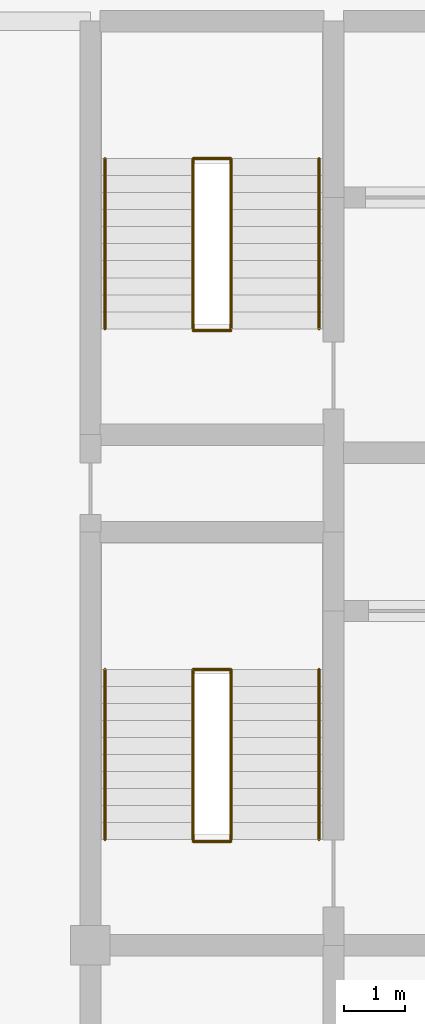
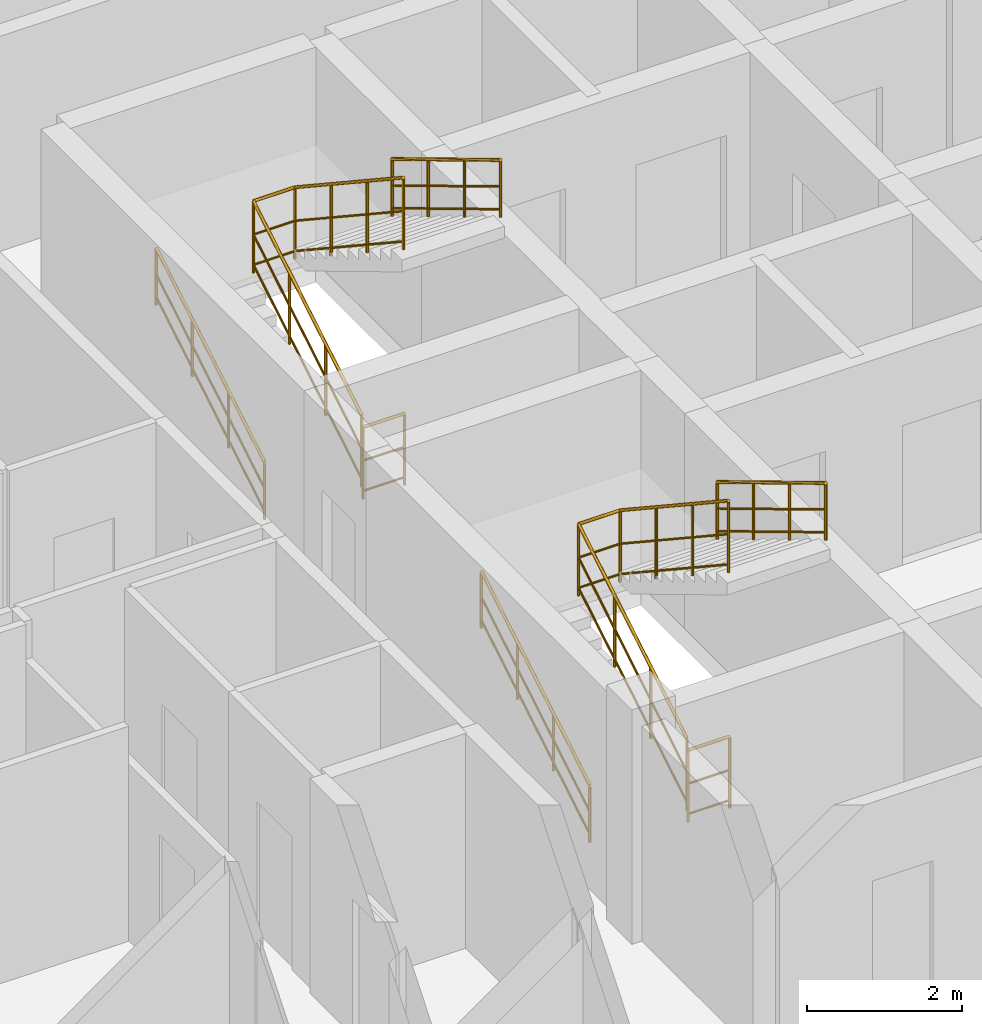
# One storey, part 27 of 27: 8 railings.
"""IFC4 building model written with IfcOpenShell, lengths in metres."""

from ifc_helpers import new_model, si_unit, direction, frame, origin, origin_2d, place, context, subcontext, project, spatial, circle, extrude, material, layer, layer_set, type_object, element, save


model = new_model("IFC4")

# Units and contexts
model_context = context("Model", 3, precision=1e-05, world=origin(), true_north=direction((0.0, 1.0)))
body_context = subcontext(model_context, "Body", "Model", "MODEL_VIEW")
ifc_project = project(units=[si_unit("LENGTHUNIT", "METRE"), si_unit("AREAUNIT", "SQUARE_METRE"), si_unit("VOLUMEUNIT", "CUBIC_METRE"), si_unit("PLANEANGLEUNIT", "RADIAN"), si_unit("MASSUNIT", "GRAM", prefix="KILO")], contexts=[model_context])

# Site, building, storey
site_placement = place(None, origin())
site = spatial("IfcSite", under=ifc_project, at=site_placement, CompositionType="ELEMENT")
building_placement = place(site_placement, origin())
building = spatial("IfcBuilding", under=site, at=building_placement, Name="Keshet Zoharim Tower", CompositionType="ELEMENT")
storey_placement = place(building_placement, frame((0.0, 0.0, 307.300048828125)))
storey = spatial("IfcBuildingStorey", under=building, at=storey_placement, Name="L77", CompositionType="ELEMENT", Elevation=307.300048828125)

# Railings
ifc_material = material(Name="Steel S355", Category="steel")
ifc_layer_1 = layer(ifc_material, 0.050048828125)
ifc_layer_set_1 = layer_set([ifc_layer_1], Name="Steel S355")
railing_type_1 = type_object("IfcRailingType", Name="RL-HND-092", PredefinedType="HANDRAIL", material=ifc_layer_set_1)
railing_1_placement = place(storey_placement, frame((15.239990234375, 24.43994140625, 0.168212890625)))
element("IfcRailing", 1, at=railing_1_placement, inside=storey, type_object=railing_type_1, Name="L77 ST-01 Flight 1 Wall Handrail", PredefinedType="HANDRAIL", context=body_context, shape_type="SweptSolid", body=[
    extrude(circle(Radius=0.02392578125, at=origin_2d()), frame((0.0, 0.0, 0.89599609375), z_axis=(0.0, 0.857275202839, 0.514858452973), x_axis=(-1.0, 0.0, 0.0)), (0.0, 0.0, 1.0), 3.26611328125),
    extrude(circle(Radius=0.01611328125, at=origin_2d()), frame((0.0, 0.0, 0.478271484375), z_axis=(0.0, 0.857275202839, 0.514858452973), x_axis=(-1.0, 0.0, 0.0)), (0.0, 0.0, 1.0), 3.26611328125),
    extrude(circle(Radius=0.01611328125, at=origin_2d()), frame((0.0, 0.0, 0.1201171875), z_axis=(0.0, 0.857275202839, 0.514858452973), x_axis=(-1.0, 0.0, 0.0)), (0.0, 0.0, 1.0), 3.26611328125),
    extrude(circle(Radius=0.02099609375, at=origin_2d()), origin(), (0.0, 0.0, 1.0), 0.871826171875),
    extrude(circle(Radius=0.02099609375, at=origin_2d()), frame((0.0, 0.933349609375, 0.560546875)), (0.0, 0.0, 1.0), 0.871826171875),
    extrude(circle(Radius=0.02099609375, at=origin_2d()), frame((0.0, 1.86669921875, 1.12109375)), (0.0, 0.0, 1.0), 0.871826171875),
    extrude(circle(Radius=0.02099609375, at=origin_2d()), frame((0.0, 2.800048828125, 1.681640625)), (0.0, 0.0, 1.0), 0.871826171875),
])
railing_2_placement = place(storey_placement, frame((18.760009765625, 27.239990234375, 2.01806640625)))
element("IfcRailing", 2, at=railing_2_placement, inside=storey, type_object=railing_type_1, Name="L77 ST-01 Flight 2 Wall Handrail", PredefinedType="HANDRAIL", context=body_context, shape_type="SweptSolid", body=[
    extrude(circle(Radius=0.02392578125, at=origin_2d()), frame((0.0, 0.0, 0.89599609375), z_axis=(0.0, -0.857242210791, 0.514913383045), x_axis=(1.0, 0.0, 0.0)), (0.0, 0.0, 1.0), 3.266357421875),
    extrude(circle(Radius=0.01611328125, at=origin_2d()), frame((0.0, 0.0, 0.478271484375), z_axis=(0.0, -0.857242210791, 0.514913383045), x_axis=(1.0, 0.0, 0.0)), (0.0, 0.0, 1.0), 3.266357421875),
    extrude(circle(Radius=0.01611328125, at=origin_2d()), frame((0.0, 0.0, 0.1201171875), z_axis=(0.0, -0.857242210791, 0.514913383045), x_axis=(1.0, 0.0, 0.0)), (0.0, 0.0, 1.0), 3.266357421875),
    extrude(circle(Radius=0.02099609375, at=origin_2d()), origin(), (0.0, 0.0, 1.0), 0.871826171875),
    extrude(circle(Radius=0.02099609375, at=origin_2d()), frame((0.0, -0.933349609375, 0.560546875)), (0.0, 0.0, 1.0), 0.871826171875),
    extrude(circle(Radius=0.02099609375, at=origin_2d()), frame((0.0, -1.86669921875, 1.121337890625)), (0.0, 0.0, 1.0), 0.871826171875),
    extrude(circle(Radius=0.02099609375, at=origin_2d()), frame((0.0, -2.800048828125, 1.681884765625)), (0.0, 0.0, 1.0), 0.871826171875),
])
railing_3_placement = place(storey_placement, frame((15.239990234375, 32.840087890625, 0.168212890625)))
element("IfcRailing", 3, at=railing_3_placement, inside=storey, type_object=railing_type_1, Name="L77 ST-02 Flight 1 Wall Handrail", PredefinedType="HANDRAIL", context=body_context, shape_type="SweptSolid", body=[
    extrude(circle(Radius=0.02392578125, at=origin_2d()), frame((0.0, 0.0, 0.89599609375), z_axis=(0.0, 0.857255387014, 0.514891446264), x_axis=(-1.0, 0.0, 0.0)), (0.0, 0.0, 1.0), 3.26611328125),
    extrude(circle(Radius=0.01611328125, at=origin_2d()), frame((0.0, 0.0, 0.478271484375), z_axis=(0.0, 0.857255387014, 0.514891446264), x_axis=(-1.0, 0.0, 0.0)), (0.0, 0.0, 1.0), 3.26611328125),
    extrude(circle(Radius=0.01611328125, at=origin_2d()), frame((0.0, 0.0, 0.1201171875), z_axis=(0.0, 0.857255387014, 0.514891446264), x_axis=(-1.0, 0.0, 0.0)), (0.0, 0.0, 1.0), 3.26611328125),
    extrude(circle(Radius=0.02099609375, at=origin_2d()), origin(), (0.0, 0.0, 1.0), 0.871826171875),
    extrude(circle(Radius=0.02099609375, at=origin_2d()), frame((0.0, 0.933349609375, 0.560546875)), (0.0, 0.0, 1.0), 0.871826171875),
    extrude(circle(Radius=0.02099609375, at=origin_2d()), frame((0.0, 1.866455078125, 1.12109375)), (0.0, 0.0, 1.0), 0.871826171875),
    extrude(circle(Radius=0.02099609375, at=origin_2d()), frame((0.0, 2.7998046875, 1.681640625)), (0.0, 0.0, 1.0), 0.871826171875),
])
railing_4_placement = place(storey_placement, frame((18.760009765625, 35.639892578125, 2.01806640625)))
element("IfcRailing", 4, at=railing_4_placement, inside=storey, type_object=railing_type_1, Name="L77 ST-02 Flight 2 Wall Handrail", PredefinedType="HANDRAIL", context=body_context, shape_type="SweptSolid", body=[
    extrude(circle(Radius=0.02392578125, at=origin_2d()), frame((0.0, 0.0, 0.89599609375), z_axis=(0.0, -0.857222391501, 0.514946377315), x_axis=(1.0, 0.0, 0.0)), (0.0, 0.0, 1.0), 3.26611328125),
    extrude(circle(Radius=0.01611328125, at=origin_2d()), frame((0.0, 0.0, 0.478271484375), z_axis=(0.0, -0.857222391501, 0.514946377315), x_axis=(1.0, 0.0, 0.0)), (0.0, 0.0, 1.0), 3.26611328125),
    extrude(circle(Radius=0.01611328125, at=origin_2d()), frame((0.0, 0.0, 0.1201171875), z_axis=(0.0, -0.857222391501, 0.514946377315), x_axis=(1.0, 0.0, 0.0)), (0.0, 0.0, 1.0), 3.26611328125),
    extrude(circle(Radius=0.02099609375, at=origin_2d()), origin(), (0.0, 0.0, 1.0), 0.871826171875),
    extrude(circle(Radius=0.02099609375, at=origin_2d()), frame((0.0, -0.933349609375, 0.560546875)), (0.0, 0.0, 1.0), 0.871826171875),
    extrude(circle(Radius=0.02099609375, at=origin_2d()), frame((0.0, -1.866455078125, 1.121337890625)), (0.0, 0.0, 1.0), 0.871826171875),
    extrude(circle(Radius=0.02099609375, at=origin_2d()), frame((0.0, -2.7998046875, 1.681884765625)), (0.0, 0.0, 1.0), 0.871826171875),
])
ifc_layer_2 = layer(ifc_material, 0.06005859375)
ifc_layer_set_2 = layer_set([ifc_layer_2], Name="Steel S355")
railing_type_2 = type_object("IfcRailingType", Name="RL-STG-115", PredefinedType="GUARDRAIL", material=ifc_layer_set_2)
railing_5_placement = place(storey_placement, frame((16.68994140625, 24.43994140625, 0.168212890625)))
element("IfcRailing", 5, at=railing_5_placement, inside=storey, type_object=railing_type_2, Name="L77 ST-01 Inner Well Guardrail", PredefinedType="GUARDRAIL", context=body_context, shape_type="SweptSolid", body=[
    extrude(circle(Radius=0.02392578125, at=origin_2d()), frame((0.0, 0.0, 1.1259765625), z_axis=(0.0, 0.857275202839, 0.514858452973), x_axis=(-1.0, 0.0, 0.0)), (0.0, 0.0, 1.0), 3.26611328125),
    extrude(circle(Radius=0.01611328125, at=origin_2d()), frame((0.0, 0.0, 0.597900390625), z_axis=(0.0, 0.857275202839, 0.514858452973), x_axis=(-1.0, 0.0, 0.0)), (0.0, 0.0, 1.0), 3.26611328125),
    extrude(circle(Radius=0.01611328125, at=origin_2d()), frame((0.0, 0.0, 0.1201171875), z_axis=(0.0, 0.857275202839, 0.514858452973), x_axis=(-1.0, 0.0, 0.0)), (0.0, 0.0, 1.0), 3.26611328125),
    extrude(circle(Radius=0.02392578125, at=origin_2d()), frame((0.0, 2.800048828125, 2.8076171875), z_axis=(1.0, 0.0, 0.0), x_axis=(0.0, 1.0, 0.0)), (0.0, 0.0, 1.0), 0.6201171875),
    extrude(circle(Radius=0.01611328125, at=origin_2d()), frame((0.0, 2.800048828125, 2.279541015625), z_axis=(1.0, 0.0, 0.0), x_axis=(0.0, 1.0, 0.0)), (0.0, 0.0, 1.0), 0.6201171875),
    extrude(circle(Radius=0.01611328125, at=origin_2d()), frame((0.0, 2.800048828125, 1.8017578125), z_axis=(1.0, 0.0, 0.0), x_axis=(0.0, 1.0, 0.0)), (0.0, 0.0, 1.0), 0.6201171875),
    extrude(circle(Radius=0.02392578125, at=origin_2d()), frame((0.6201171875, 2.800048828125, 2.8076171875), z_axis=(0.0, -0.834326358476, 0.551270829586), x_axis=(1.0, 0.0, 0.0)), (0.0, 0.0, 1.0), 3.35595703125),
    extrude(circle(Radius=0.01611328125, at=origin_2d()), frame((0.6201171875, 2.800048828125, 2.279541015625), z_axis=(0.0, -0.834326358476, 0.551270829586), x_axis=(1.0, 0.0, 0.0)), (0.0, 0.0, 1.0), 3.35595703125),
    extrude(circle(Radius=0.01611328125, at=origin_2d()), frame((0.6201171875, 2.800048828125, 1.8017578125), z_axis=(0.0, -0.834326358476, 0.551270829586), x_axis=(1.0, 0.0, 0.0)), (0.0, 0.0, 1.0), 3.35595703125),
    extrude(circle(Radius=0.02099609375, at=origin_2d()), origin(), (0.0, 0.0, 1.0), 1.101806640625),
    extrude(circle(Radius=0.02099609375, at=origin_2d()), frame((0.0, 0.933349609375, 0.560546875)), (0.0, 0.0, 1.0), 1.101806640625),
    extrude(circle(Radius=0.02099609375, at=origin_2d()), frame((0.0, 1.86669921875, 1.12109375)), (0.0, 0.0, 1.0), 1.101806640625),
    extrude(circle(Radius=0.02099609375, at=origin_2d()), frame((0.0, 2.800048828125, 1.681640625)), (0.0, 0.0, 1.0), 1.101806640625),
    extrude(circle(Radius=0.02099609375, at=origin_2d()), frame((0.6201171875, 2.800048828125, 1.681640625)), (0.0, 0.0, 1.0), 1.101806640625),
    extrude(circle(Radius=0.02099609375, at=origin_2d()), frame((0.6201171875, 1.86669921875, 2.29833984375)), (0.0, 0.0, 1.0), 1.101806640625),
    extrude(circle(Radius=0.02099609375, at=origin_2d()), frame((0.6201171875, 0.933349609375, 2.9150390625)), (0.0, 0.0, 1.0), 1.101806640625),
    extrude(circle(Radius=0.02099609375, at=origin_2d()), frame((0.6201171875, 0.0, 3.53173828125)), (0.0, 0.0, 1.0), 1.101806640625),
])
railing_6_placement = place(storey_placement, frame((16.68994140625, 24.409912109375, 0.0)))
element("IfcRailing", 6, at=railing_6_placement, inside=storey, type_object=railing_type_2, Name="L77 ST-01 Stairwell Floor Guardrail", PredefinedType="GUARDRAIL", context=body_context, shape_type="SweptSolid", body=[
    extrude(circle(Radius=0.02392578125, at=origin_2d()), frame((0.0, 0.0, 1.1259765625), z_axis=(1.0, 0.0, 0.0), x_axis=(0.0, 1.0, 0.0)), (0.0, 0.0, 1.0), 0.6201171875),
    extrude(circle(Radius=0.01611328125, at=origin_2d()), frame((0.0, 0.0, 0.597900390625), z_axis=(1.0, 0.0, 0.0), x_axis=(0.0, 1.0, 0.0)), (0.0, 0.0, 1.0), 0.6201171875),
    extrude(circle(Radius=0.01611328125, at=origin_2d()), frame((0.0, 0.0, 0.1201171875), z_axis=(1.0, 0.0, 0.0), x_axis=(0.0, 1.0, 0.0)), (0.0, 0.0, 1.0), 0.6201171875),
    extrude(circle(Radius=0.02099609375, at=origin_2d()), origin(), (0.0, 0.0, 1.0), 1.101806640625),
    extrude(circle(Radius=0.02099609375, at=origin_2d()), frame((0.6201171875, 0.0, 0.0)), (0.0, 0.0, 1.0), 1.101806640625),
])
railing_7_placement = place(storey_placement, frame((16.68994140625, 32.840087890625, 0.168212890625)))
element("IfcRailing", 7, at=railing_7_placement, inside=storey, type_object=railing_type_2, Name="L77 ST-02 Inner Well Guardrail", PredefinedType="GUARDRAIL", context=body_context, shape_type="SweptSolid", body=[
    extrude(circle(Radius=0.02392578125, at=origin_2d()), frame((0.0, 0.0, 1.1259765625), z_axis=(0.0, 0.857255387014, 0.514891446264), x_axis=(-1.0, 0.0, 0.0)), (0.0, 0.0, 1.0), 3.26611328125),
    extrude(circle(Radius=0.01611328125, at=origin_2d()), frame((0.0, 0.0, 0.597900390625), z_axis=(0.0, 0.857255387014, 0.514891446264), x_axis=(-1.0, 0.0, 0.0)), (0.0, 0.0, 1.0), 3.26611328125),
    extrude(circle(Radius=0.01611328125, at=origin_2d()), frame((0.0, 0.0, 0.1201171875), z_axis=(0.0, 0.857255387014, 0.514891446264), x_axis=(-1.0, 0.0, 0.0)), (0.0, 0.0, 1.0), 3.26611328125),
    extrude(circle(Radius=0.02392578125, at=origin_2d()), frame((0.0, 2.7998046875, 2.8076171875), z_axis=(1.0, 0.0, 0.0), x_axis=(0.0, 1.0, 0.0)), (0.0, 0.0, 1.0), 0.6201171875),
    extrude(circle(Radius=0.01611328125, at=origin_2d()), frame((0.0, 2.7998046875, 2.279541015625), z_axis=(1.0, 0.0, 0.0), x_axis=(0.0, 1.0, 0.0)), (0.0, 0.0, 1.0), 0.6201171875),
    extrude(circle(Radius=0.01611328125, at=origin_2d()), frame((0.0, 2.7998046875, 1.8017578125), z_axis=(1.0, 0.0, 0.0), x_axis=(0.0, 1.0, 0.0)), (0.0, 0.0, 1.0), 0.6201171875),
    extrude(circle(Radius=0.02392578125, at=origin_2d()), frame((0.6201171875, 2.7998046875, 2.8076171875), z_axis=(0.0, -0.834304248922, 0.551304290053), x_axis=(1.0, 0.0, 0.0)), (0.0, 0.0, 1.0), 3.35595703125),
    extrude(circle(Radius=0.01611328125, at=origin_2d()), frame((0.6201171875, 2.7998046875, 2.279541015625), z_axis=(0.0, -0.834304248922, 0.551304290053), x_axis=(1.0, 0.0, 0.0)), (0.0, 0.0, 1.0), 3.35595703125),
    extrude(circle(Radius=0.01611328125, at=origin_2d()), frame((0.6201171875, 2.7998046875, 1.8017578125), z_axis=(0.0, -0.834304248922, 0.551304290053), x_axis=(1.0, 0.0, 0.0)), (0.0, 0.0, 1.0), 3.35595703125),
    extrude(circle(Radius=0.02099609375, at=origin_2d()), origin(), (0.0, 0.0, 1.0), 1.101806640625),
    extrude(circle(Radius=0.02099609375, at=origin_2d()), frame((0.0, 0.933349609375, 0.560546875)), (0.0, 0.0, 1.0), 1.101806640625),
    extrude(circle(Radius=0.02099609375, at=origin_2d()), frame((0.0, 1.866455078125, 1.12109375)), (0.0, 0.0, 1.0), 1.101806640625),
    extrude(circle(Radius=0.02099609375, at=origin_2d()), frame((0.0, 2.7998046875, 1.681640625)), (0.0, 0.0, 1.0), 1.101806640625),
    extrude(circle(Radius=0.02099609375, at=origin_2d()), frame((0.6201171875, 2.7998046875, 1.681640625)), (0.0, 0.0, 1.0), 1.101806640625),
    extrude(circle(Radius=0.02099609375, at=origin_2d()), frame((0.6201171875, 1.866455078125, 2.29833984375)), (0.0, 0.0, 1.0), 1.101806640625),
    extrude(circle(Radius=0.02099609375, at=origin_2d()), frame((0.6201171875, 0.933349609375, 2.9150390625)), (0.0, 0.0, 1.0), 1.101806640625),
    extrude(circle(Radius=0.02099609375, at=origin_2d()), frame((0.6201171875, 0.0, 3.53173828125)), (0.0, 0.0, 1.0), 1.101806640625),
])
railing_8_placement = place(storey_placement, frame((16.68994140625, 32.81005859375, 0.0)))
element("IfcRailing", 8, at=railing_8_placement, inside=storey, type_object=railing_type_2, Name="L77 ST-02 Stairwell Floor Guardrail", PredefinedType="GUARDRAIL", context=body_context, shape_type="SweptSolid", body=[
    extrude(circle(Radius=0.02392578125, at=origin_2d()), frame((0.0, 0.0, 1.1259765625), z_axis=(1.0, 0.0, 0.0), x_axis=(0.0, 1.0, 0.0)), (0.0, 0.0, 1.0), 0.6201171875),
    extrude(circle(Radius=0.01611328125, at=origin_2d()), frame((0.0, 0.0, 0.597900390625), z_axis=(1.0, 0.0, 0.0), x_axis=(0.0, 1.0, 0.0)), (0.0, 0.0, 1.0), 0.6201171875),
    extrude(circle(Radius=0.01611328125, at=origin_2d()), frame((0.0, 0.0, 0.1201171875), z_axis=(1.0, 0.0, 0.0), x_axis=(0.0, 1.0, 0.0)), (0.0, 0.0, 1.0), 0.6201171875),
    extrude(circle(Radius=0.02099609375, at=origin_2d()), origin(), (0.0, 0.0, 1.0), 1.101806640625),
    extrude(circle(Radius=0.02099609375, at=origin_2d()), frame((0.6201171875, 0.0, 0.0)), (0.0, 0.0, 1.0), 1.101806640625),
])

save(model, "model.ifc")
